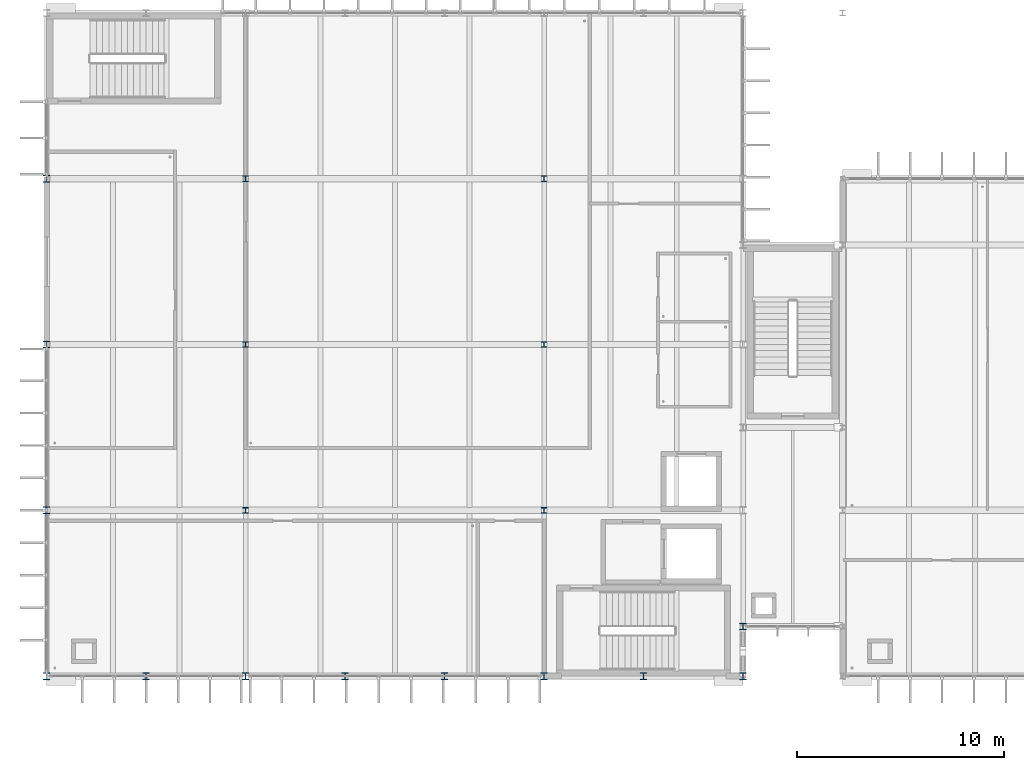
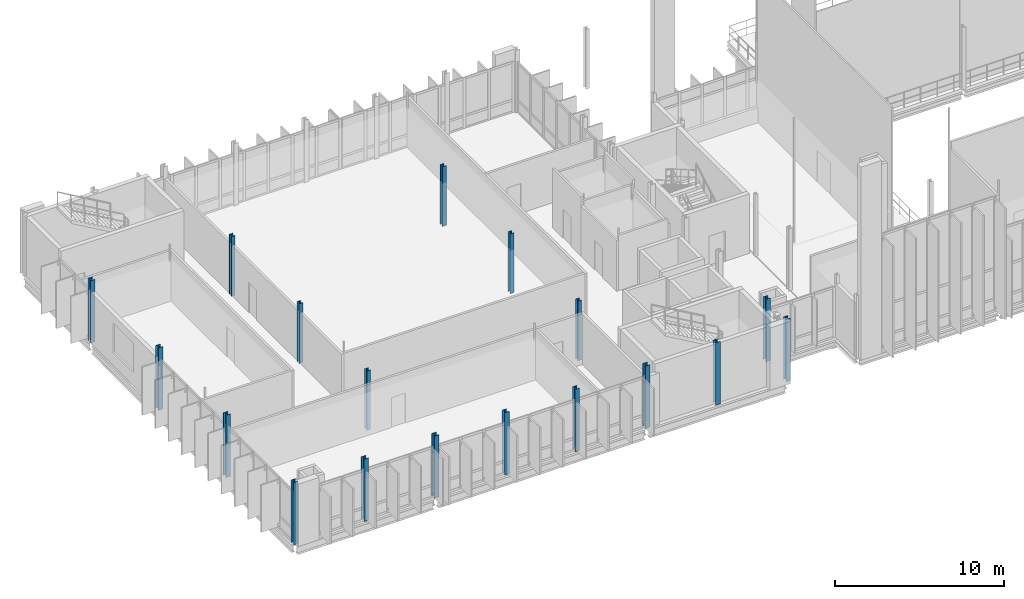
# One storey, part 1 of 41: 18 columns.
"""IFC4 building model written with IfcOpenShell, lengths in metres."""

from ifc_helpers import new_model, si_unit, direction, frame, origin, origin_2d, place, context, subcontext, project, spatial, i_section, extrude, material, material_profile, profile_set, type_object, element, save


model = new_model("IFC4")

# Units and contexts
model_context = context("Model", 3, precision=1e-05, world=origin(), true_north=direction((0.0, 1.0)))
body_context = subcontext(model_context, "Body", "Model", "MODEL_VIEW")
ifc_project = project(units=[si_unit("LENGTHUNIT", "METRE"), si_unit("AREAUNIT", "SQUARE_METRE"), si_unit("VOLUMEUNIT", "CUBIC_METRE"), si_unit("PLANEANGLEUNIT", "RADIAN"), si_unit("MASSUNIT", "GRAM", prefix="KILO")], contexts=[model_context])

# Site, building, storey
site_placement = place(None, origin())
site = spatial("IfcSite", under=ifc_project, at=site_placement, CompositionType="ELEMENT")
building_placement = place(site_placement, origin())
building = spatial("IfcBuilding", under=site, at=building_placement, Name="Dunescarp Central Library", CompositionType="ELEMENT")
storey_placement = place(building_placement, frame((0.0, 0.0, 23.10009765625)))
storey = spatial("IfcBuildingStorey", under=building, at=storey_placement, Name="L05", CompositionType="ELEMENT", Elevation=23.10009765625)

# Columns
ifc_material = material(Name="Steel S355JR", Category="steel")
ifc_material_profile_1 = material_profile(ifc_material, i_section(OverallWidth=0.26123046875, OverallDepth=0.2763671875, WebThickness=0.015380859375, FlangeThickness=0.025390625, at=origin_2d()), Name="UC 254x254x132")
ifc_profile_set_1 = profile_set([ifc_material_profile_1], Name="Steel S355JR")
column_type_1 = type_object("IfcColumnType", Name="STR-COL-UC254X132", PredefinedType="COLUMN", material=ifc_profile_set_1)
for number, where, z_axis, x_axis, name in (
    (1, (9.60009765625, 12.800048828125, 0.0), (0.0, 0.0, 1.0), (1.0, 0.0, 0.0), "L05 column V1I-96-128"),
    (2, (9.60009765625, 20.800048828125, 0.0), (0.0, 0.0, 1.0), (1.0, 0.0, 0.0), "L05 column V1I-96-208"),
    (3, (9.60009765625, 28.800048828125, 0.0), (0.0, 0.0, 1.0), (1.0, 0.0, 0.0), "L05 column V1I-96-288"),
    (4, (24.0, 12.800048828125, 0.0), (0.0, 0.0, 1.0), (1.0, 0.0, 0.0), "L05 column V1I-240-128"),
    (5, (24.0, 20.800048828125, 0.0), (0.0, 0.0, 1.0), (1.0, 0.0, 0.0), "L05 column V1I-240-208"),
    (6, (24.0, 28.800048828125, 0.0), (0.0, 0.0, 1.0), (1.0, 0.0, 0.0), "L05 column V1I-240-288"),
):
    element("IfcColumn", number, at=place(storey_placement, frame(where, z_axis=z_axis, x_axis=x_axis)), inside=storey, type_object=column_type_1, Name=name, PredefinedType="COLUMN", context=body_context, shape_type="SweptSolid", body=[
        extrude(i_section(OverallWidth=0.26123046875, OverallDepth=0.2763671875, WebThickness=0.015380859375, FlangeThickness=0.025390625, at=origin_2d()), origin(), (0.0, 0.0, 1.0), 4.309814453125),
    ])
ifc_material_profile_2 = material_profile(ifc_material, i_section(OverallWidth=0.311279296875, OverallDepth=0.3271484375, WebThickness=0.015869140625, FlangeThickness=0.02490234375, at=origin_2d()), Name="UC 305x305x158")
ifc_profile_set_2 = profile_set([ifc_material_profile_2], Name="Steel S355JR")
column_type_2 = type_object("IfcColumnType", Name="STR-COL-UC305X158", PredefinedType="COLUMN", material=ifc_profile_set_2)
for number, where, z_axis, x_axis, name in (
    (7, (0.0, 4.800048828125, 0.0), (0.0, 0.0, 1.0), (1.0, 0.0, 0.0), "L05 column V1P-0-48"),
    (8, (4.800048828125, 4.800048828125, 0.0), (0.0, 0.0, 1.0), (1.0, 0.0, 0.0), "L05 column V1P-48-48"),
    (9, (9.60009765625, 4.800048828125, 0.0), (0.0, 0.0, 1.0), (1.0, 0.0, 0.0), "L05 column V1P-96-48"),
    (10, (14.39990234375, 4.800048828125, 0.0), (0.0, 0.0, 1.0), (1.0, 0.0, 0.0), "L05 column V1P-144-48"),
    (11, (19.199951171875, 4.800048828125, 0.0), (0.0, 0.0, 1.0), (1.0, 0.0, 0.0), "L05 column V1P-192-48"),
    (12, (24.0, 4.800048828125, 0.0), (0.0, 0.0, 1.0), (1.0, 0.0, 0.0), "L05 column V1P-240-48"),
    (13, (28.800048828125, 4.800048828125, 0.0), (0.0, 0.0, 1.0), (1.0, 0.0, 0.0), "L05 column V1P-288-48"),
    (14, (33.60009765625, 4.800048828125, 0.0), (0.0, 0.0, 1.0), (1.0, 0.0, 0.0), "L05 column V1P-336-48"),
    (15, (0.0, 12.800048828125, 0.0), (0.0, 0.0, 1.0), (1.0, 0.0, 0.0), "L05 column V1P-0-128"),
    (16, (0.0, 20.800048828125, 0.0), (0.0, 0.0, 1.0), (1.0, 0.0, 0.0), "L05 column V1P-0-208"),
    (17, (0.0, 28.800048828125, 0.0), (0.0, 0.0, 1.0), (1.0, 0.0, 0.0), "L05 column V1P-0-288"),
    (18, (33.60009765625, 7.199951171875, 0.0), (0.0, 0.0, 1.0), (1.0, 0.0, 0.0), "L05 column V1P-336-72"),
):
    element("IfcColumn", number, at=place(storey_placement, frame(where, z_axis=z_axis, x_axis=x_axis)), inside=storey, type_object=column_type_2, Name=name, PredefinedType="COLUMN", context=body_context, shape_type="SweptSolid", body=[
        extrude(i_section(OverallWidth=0.311279296875, OverallDepth=0.3271484375, WebThickness=0.015869140625, FlangeThickness=0.02490234375, at=origin_2d()), origin(), (0.0, 0.0, 1.0), 4.5),
    ])

save(model, "model.ifc")
